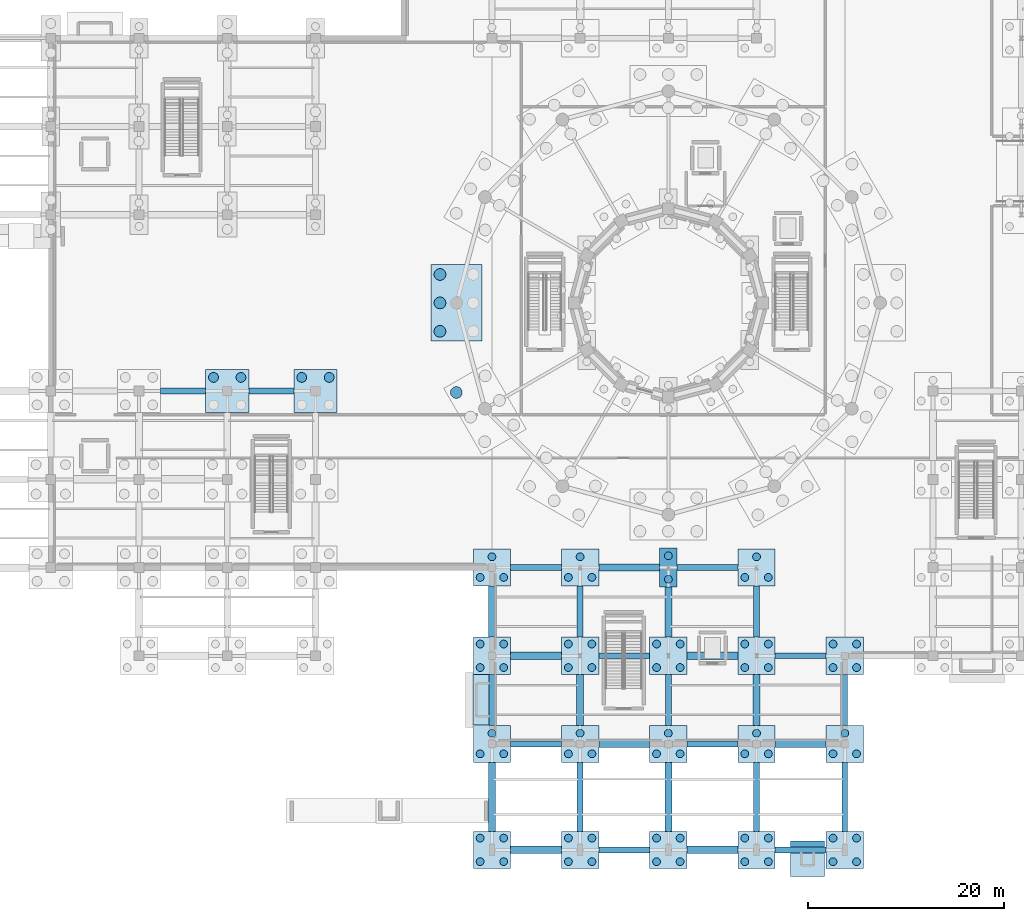
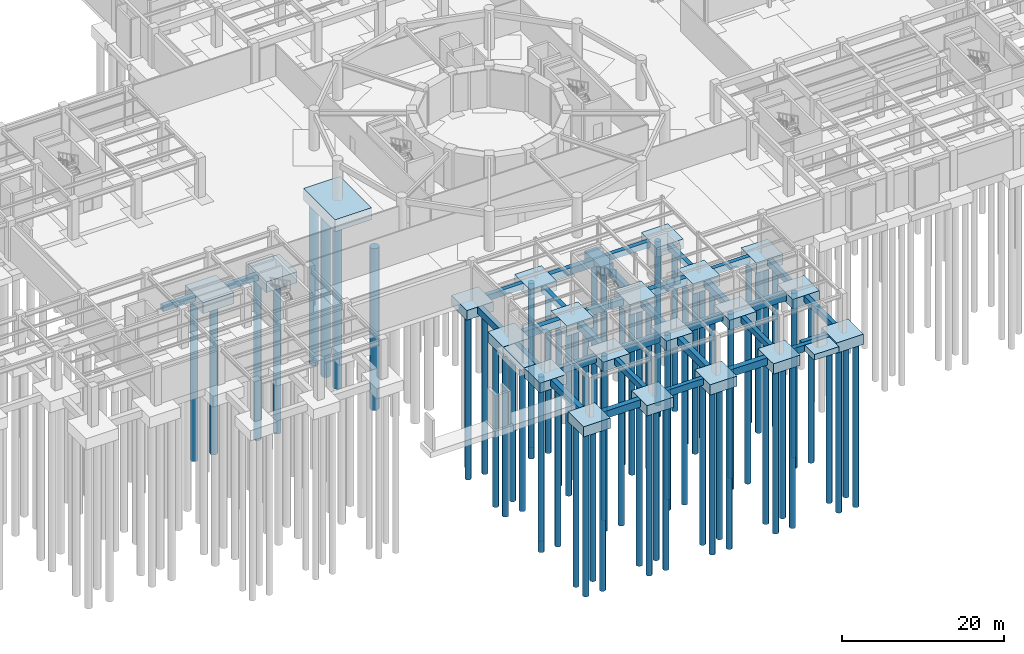
# One storey, part 2 of 36: 74 piles, 56 footings.
"""IFC4 building model written with IfcOpenShell, lengths in metres."""

from ifc_helpers import new_model, si_unit, direction, frame, origin, origin_2d, place, context, subcontext, project, spatial, rectangle, circle, extrude, material, material_profile, profile_set, type_object, element, save


model = new_model("IFC4")

# Units and contexts
model_context = context("Model", 3, precision=1e-05, world=origin(), true_north=direction((0.0, 1.0)))
body_context = subcontext(model_context, "Body", "Model", "MODEL_VIEW")
ifc_project = project(units=[si_unit("LENGTHUNIT", "METRE"), si_unit("AREAUNIT", "SQUARE_METRE"), si_unit("VOLUMEUNIT", "CUBIC_METRE"), si_unit("PLANEANGLEUNIT", "RADIAN"), si_unit("MASSUNIT", "GRAM", prefix="KILO")], contexts=[model_context])

# Site, building, storey
site_placement = place(None, origin())
site = spatial("IfcSite", under=ifc_project, at=site_placement, CompositionType="ELEMENT")
building_placement = place(site_placement, origin())
building = spatial("IfcBuilding", under=site, at=building_placement, Name="Haizhuo Lancet Aquarium", CompositionType="ELEMENT")
storey_placement = place(building_placement, frame((0.0, 0.0, -6.0)))
storey = spatial("IfcBuildingStorey", under=building, at=storey_placement, Name="B1", CompositionType="ELEMENT", Elevation=-6.0)

# Footings
ifc_material = material(Name="Concrete C40/50", Category="concrete")
footing_type_1 = type_object("IfcFootingType", Name="FCAP-PC2A", PredefinedType="PILE_CAP", material=ifc_material)
footing_1_placement = place(storey_placement, frame((0.0, -27.0, -1.39990234375), z_axis=(0.0, 0.0, 1.0), x_axis=(1.0, 0.0, 0.0)))
element("IfcFooting", 1, at=footing_1_placement, inside=storey, type_object=footing_type_1, Name="Pile cap PC-01 77", PredefinedType="PILE_CAP", context=body_context, shape_type="SweptSolid", body=[
    extrude(rectangle(XDim=1.800048828125, YDim=4.0, at=origin_2d()), origin(), (0.0, 0.0, 1.0), 1.39990234375),
])
footing_type_2 = type_object("IfcFootingType", Name="FCAP-PC3A", PredefinedType="PILE_CAP", material=ifc_material)
for number, where, z_axis, x_axis, name in (
    (2, (-18.0, -45.0, -1.4501953125), (0.0, 0.0, 1.0), (1.0, 0.0, 0.0), "Pile cap PC-03 67"),
    (3, (-18.0, -27.0, -1.4501953125), (0.0, 0.0, 1.0), (1.0, 0.0, 0.0), "Pile cap PC-03 69"),
    (4, (-9.0, -45.0, -1.4501953125), (0.0, 0.0, 1.0), (1.0, 0.0, 0.0), "Pile cap PC-03 71"),
    (5, (-9.0, -27.0, -1.4501953125), (0.0, 0.0, 1.0), (1.0, 0.0, 0.0), "Pile cap PC-03 73"),
    (6, (0.0, -45.0, -1.4501953125), (0.0, 0.0, 1.0), (1.0, 0.0, 0.0), "Pile cap PC-03 75"),
    (7, (9.0, -45.0, -1.4501953125), (0.0, 0.0, 1.0), (1.0, 0.0, 0.0), "Pile cap PC-03 79"),
    (8, (9.0, -27.0, -1.4501953125), (0.0, 0.0, 1.0), (1.0, 0.0, 0.0), "Pile cap PC-03 81"),
    (9, (18.0, -45.0, -1.4501953125), (0.0, 0.0, 1.0), (1.0, 0.0, 0.0), "Pile cap PC-03 83"),
):
    element("IfcFooting", number, at=place(storey_placement, frame(where, z_axis=z_axis, x_axis=x_axis)), inside=storey, type_object=footing_type_2, Name=name, PredefinedType="PILE_CAP", context=body_context, shape_type="SweptSolid", body=[
        extrude(rectangle(XDim=3.800048828125, YDim=3.800048828125, at=origin_2d()), origin(), (0.0, 0.0, 1.0), 1.449951171875),
    ])
footing_type_3 = type_object("IfcFootingType", Name="FCAP-PC4A", PredefinedType="PILE_CAP", material=ifc_material)
for number, where, z_axis, x_axis, name in (
    (10, (-18.0, -55.800048828125, -1.5498046875), (0.0, 0.0, 1.0), (1.0, 0.0, 0.0), "Pile cap PC-04 66"),
    (11, (-18.0, -36.0, -1.5498046875), (0.0, 0.0, 1.0), (1.0, 0.0, 0.0), "Pile cap PC-04 68"),
    (12, (-9.0, -55.800048828125, -1.5498046875), (0.0, 0.0, 1.0), (1.0, 0.0, 0.0), "Pile cap PC-04 70"),
    (13, (-9.0, -36.0, -1.5498046875), (0.0, 0.0, 1.0), (1.0, 0.0, 0.0), "Pile cap PC-04 72"),
    (14, (0.0, -55.800048828125, -1.5498046875), (0.0, 0.0, 1.0), (1.0, 0.0, 0.0), "Pile cap PC-04 74"),
    (15, (0.0, -36.0, -1.5498046875), (0.0, 0.0, 1.0), (1.0, 0.0, 0.0), "Pile cap PC-04 76"),
    (16, (9.0, -55.800048828125, -1.5498046875), (0.0, 0.0, 1.0), (1.0, 0.0, 0.0), "Pile cap PC-04 78"),
    (17, (9.0, -36.0, -1.5498046875), (0.0, 0.0, 1.0), (1.0, 0.0, 0.0), "Pile cap PC-04 80"),
    (18, (18.0, -55.800048828125, -1.5498046875), (0.0, 0.0, 1.0), (1.0, 0.0, 0.0), "Pile cap PC-04 82"),
    (19, (18.0, -36.0, -1.5498046875), (0.0, 0.0, 1.0), (1.0, 0.0, 0.0), "Pile cap PC-04 84"),
):
    element("IfcFooting", number, at=place(storey_placement, frame(where, z_axis=z_axis, x_axis=x_axis)), inside=storey, type_object=footing_type_3, Name=name, PredefinedType="PILE_CAP", context=body_context, shape_type="SweptSolid", body=[
        extrude(rectangle(XDim=3.800048828125, YDim=3.800048828125, at=origin_2d()), origin(), (0.0, 0.0, 1.0), 1.550048828125),
    ])
footing_type_4 = type_object("IfcFootingType", Name="FCAP-PC4B", PredefinedType="PILE_CAP", material=ifc_material)
for number, where, z_axis, x_axis, name in (
    (20, (-45.0, -9.0, -1.64990234375), (0.0, 0.0, 1.0), (1.0, 0.0, 0.0), "Pile cap PC-05 123"),
    (21, (-36.0, -9.0, -1.64990234375), (0.0, 0.0, 1.0), (1.0, 0.0, 0.0), "Pile cap PC-05 127"),
):
    element("IfcFooting", number, at=place(storey_placement, frame(where, z_axis=z_axis, x_axis=x_axis)), inside=storey, type_object=footing_type_4, Name=name, PredefinedType="PILE_CAP", context=body_context, shape_type="SweptSolid", body=[
        extrude(rectangle(XDim=4.39990234375, YDim=4.39990234375, at=origin_2d()), origin(), (0.0, 0.0, 1.0), 1.64990234375),
    ])
footing_type_5 = type_object("IfcFootingType", Name="FCAP-PC6B", PredefinedType="PILE_CAP", material=ifc_material)
footing_2_placement = place(storey_placement, frame((-21.60009765625, 0.0, -1.7998046875), z_axis=(0.0, 0.0, 1.0), x_axis=(-1.0, 0.0, 0.0)))
element("IfcFooting", 22, at=footing_2_placement, inside=storey, type_object=footing_type_5, Name="Pile cap PC-08 7", PredefinedType="PILE_CAP", context=body_context, shape_type="SweptSolid", body=[
    extrude(rectangle(XDim=5.199951171875, YDim=7.800048828125, at=origin_2d()), origin(), (0.0, 0.0, 1.0), 1.800048828125),
])
footing_type_6 = type_object("IfcFootingType", Name="FPAD-2200", PredefinedType="PAD_FOOTING", material=ifc_material)
footing_3_placement = place(storey_placement, frame((-19.1201171875, -40.5, -0.85009765625), z_axis=(0.0, 0.0, 1.0), x_axis=(1.0, 0.0, 0.0)))
element("IfcFooting", 23, at=footing_3_placement, inside=storey, type_object=footing_type_6, material=ifc_material, Name="Entrance apron footing 3.2", PredefinedType="PAD_FOOTING", context=body_context, shape_type="SweptSolid", body=[
    extrude(rectangle(XDim=1.60009765625, YDim=5.159912109375, at=origin_2d()), origin(), (0.0, 0.0, 1.0), 0.85009765625),
])
footing_4_placement = place(storey_placement, frame((14.199951171875, -57.31005859375, -0.85009765625), z_axis=(0.0, 0.0, 1.0), x_axis=(1.0, 0.0, 0.0)))
element("IfcFooting", 24, at=footing_4_placement, inside=storey, type_object=footing_type_6, material=ifc_material, Name="Entrance apron footing 4.1", PredefinedType="PAD_FOOTING", context=body_context, shape_type="SweptSolid", body=[
    extrude(rectangle(XDim=3.5, YDim=2.3798828125, at=origin_2d()), origin(), (0.0, 0.0, 1.0), 0.85009765625),
])
footing_5_placement = place(storey_placement, frame((14.199951171875, -55.19189453125, -0.85009765625), z_axis=(0.0, 0.0, 1.0), x_axis=(1.0, 0.0, 0.0)))
element("IfcFooting", 25, at=footing_5_placement, inside=storey, type_object=footing_type_6, material=ifc_material, Name="Entrance apron footing 4.2", PredefinedType="PAD_FOOTING", context=body_context, shape_type="SweptSolid", body=[
    extrude(rectangle(XDim=3.5, YDim=0.574951171875, at=origin_2d()), origin(), (0.0, 0.0, 1.0), 0.85009765625),
])
footing_type_7 = type_object("IfcFootingType", Name="FTB-600x1000", PredefinedType="FOOTING_BEAM", material=ifc_material)
for number, where, z_axis, x_axis, name in (
    (26, (-13.5, -45.0, -1.0), (0.0, 0.0, 1.0), (1.0, 0.0, 0.0), "Foundation tie beam 62"),
    (27, (-4.5, -55.800048828125, -1.0), (0.0, 0.0, 1.0), (1.0, 0.0, 0.0), "Foundation tie beam 74"),
    (28, (-4.5, -36.0, -1.0), (0.0, 0.0, 1.0), (1.0, 0.0, 0.0), "Foundation tie beam 78"),
    (29, (4.5, -45.0, -1.0), (0.0, 0.0, 1.0), (1.0, 0.0, 0.0), "Foundation tie beam 90"),
    (30, (13.5, -55.800048828125, -1.0), (0.0, 0.0, 1.0), (1.0, 0.0, 0.0), "Foundation tie beam 102"),
    (31, (13.5, -36.0, -1.0), (0.0, 0.0, 1.0), (1.0, 0.0, 0.0), "Foundation tie beam 106"),
    (32, (18.0, -40.5, -1.0), (0.0, 0.0, 1.0), (0.0, 1.0, 0.0), "Foundation tie beam 114"),
):
    element("IfcFooting", number, at=place(storey_placement, frame(where, z_axis=z_axis, x_axis=x_axis)), inside=storey, type_object=footing_type_7, Name=name, PredefinedType="FOOTING_BEAM", context=body_context, shape_type="SweptSolid", body=[
        extrude(rectangle(XDim=5.199951171875, YDim=0.60009765625, at=origin_2d()), origin(), (0.0, 0.0, 1.0), 1.0),
    ])
footing_type_8 = type_object("IfcFootingType", Name="FTB-600x900", PredefinedType="FOOTING_BEAM", material=ifc_material)
for number, where, z_axis, x_axis, name in (
    (33, (-49.5, -9.0, -0.89990234375), (0.0, 0.0, 1.0), (1.0, 0.0, 0.0), "Foundation tie beam 33"),
    (34, (-40.5, -9.0, -0.89990234375), (0.0, 0.0, 1.0), (1.0, 0.0, 0.0), "Foundation tie beam 45"),
):
    element("IfcFooting", number, at=place(storey_placement, frame(where, z_axis=z_axis, x_axis=x_axis)), inside=storey, type_object=footing_type_8, Name=name, PredefinedType="FOOTING_BEAM", context=body_context, shape_type="SweptSolid", body=[
        extrude(rectangle(XDim=4.60009765625, YDim=0.60009765625, at=origin_2d()), origin(), (0.0, 0.0, 1.0), 0.89990234375),
    ])
for number, where, z_axis, x_axis, name in (
    (35, (-18.0, -40.5, -0.89990234375), (0.0, 0.0, 1.0), (0.0, 1.0, 0.0), "Foundation tie beam 61"),
    (36, (-13.5, -27.0, -0.89990234375), (0.0, 0.0, 1.0), (1.0, 0.0, 0.0), "Foundation tie beam 65"),
):
    element("IfcFooting", number, at=place(storey_placement, frame(where, z_axis=z_axis, x_axis=x_axis)), inside=storey, type_object=footing_type_8, Name=name, PredefinedType="FOOTING_BEAM", context=body_context, shape_type="SweptSolid", body=[
        extrude(rectangle(XDim=5.199951171875, YDim=0.60009765625, at=origin_2d()), origin(), (0.0, 0.0, 1.0), 0.89990234375),
    ])
footing_6_placement = place(storey_placement, frame((-9.0, -50.39990234375, -0.89990234375), z_axis=(0.0, 0.0, 1.0), x_axis=(0.0, 1.0, 0.0)))
element("IfcFooting", 37, at=footing_6_placement, inside=storey, type_object=footing_type_8, Name="Foundation tie beam 73", PredefinedType="FOOTING_BEAM", context=body_context, shape_type="SweptSolid", body=[
    extrude(rectangle(XDim=7.0, YDim=0.60009765625, at=origin_2d()), origin(), (0.0, 0.0, 1.0), 0.89990234375),
])
for number, where, z_axis, x_axis, name in (
    (38, (-9.0, -31.5, -0.89990234375), (0.0, 0.0, 1.0), (0.0, 1.0, 0.0), "Foundation tie beam 77"),
    (39, (0.0, -40.5, -0.89990234375), (0.0, 0.0, 1.0), (0.0, 1.0, 0.0), "Foundation tie beam 89"),
):
    element("IfcFooting", number, at=place(storey_placement, frame(where, z_axis=z_axis, x_axis=x_axis)), inside=storey, type_object=footing_type_8, Name=name, PredefinedType="FOOTING_BEAM", context=body_context, shape_type="SweptSolid", body=[
        extrude(rectangle(XDim=5.199951171875, YDim=0.60009765625, at=origin_2d()), origin(), (0.0, 0.0, 1.0), 0.89990234375),
    ])
footing_7_placement = place(storey_placement, frame((4.0, -27.0, -0.89990234375), z_axis=(0.0, 0.0, 1.0), x_axis=(1.0, 0.0, 0.0)))
element("IfcFooting", 40, at=footing_7_placement, inside=storey, type_object=footing_type_8, Name="Foundation tie beam 93", PredefinedType="FOOTING_BEAM", context=body_context, shape_type="SweptSolid", body=[
    extrude(rectangle(XDim=6.199951171875, YDim=0.60009765625, at=origin_2d()), origin(), (0.0, 0.0, 1.0), 0.89990234375),
])
footing_8_placement = place(storey_placement, frame((9.0, -50.39990234375, -0.89990234375), z_axis=(0.0, 0.0, 1.0), x_axis=(0.0, 1.0, 0.0)))
element("IfcFooting", 41, at=footing_8_placement, inside=storey, type_object=footing_type_8, Name="Foundation tie beam 101", PredefinedType="FOOTING_BEAM", context=body_context, shape_type="SweptSolid", body=[
    extrude(rectangle(XDim=7.0, YDim=0.60009765625, at=origin_2d()), origin(), (0.0, 0.0, 1.0), 0.89990234375),
])
footing_9_placement = place(storey_placement, frame((9.0, -31.5, -0.89990234375), z_axis=(0.0, 0.0, 1.0), x_axis=(0.0, 1.0, 0.0)))
element("IfcFooting", 42, at=footing_9_placement, inside=storey, type_object=footing_type_8, Name="Foundation tie beam 105", PredefinedType="FOOTING_BEAM", context=body_context, shape_type="SweptSolid", body=[
    extrude(rectangle(XDim=5.199951171875, YDim=0.60009765625, at=origin_2d()), origin(), (0.0, 0.0, 1.0), 0.89990234375),
])
footing_10_placement = place(storey_placement, frame((18.0, -50.39990234375, -0.89990234375), z_axis=(0.0, 0.0, 1.0), x_axis=(0.0, 1.0, 0.0)))
element("IfcFooting", 43, at=footing_10_placement, inside=storey, type_object=footing_type_8, Name="Foundation tie beam 113", PredefinedType="FOOTING_BEAM", context=body_context, shape_type="SweptSolid", body=[
    extrude(rectangle(XDim=7.0, YDim=0.60009765625, at=origin_2d()), origin(), (0.0, 0.0, 1.0), 0.89990234375),
])
footing_type_9 = type_object("IfcFootingType", Name="FTB-700x1050", PredefinedType="FOOTING_BEAM", material=ifc_material)
footing_11_placement = place(storey_placement, frame((-18.0, -50.39990234375, -1.0498046875), z_axis=(0.0, 0.0, 1.0), x_axis=(0.0, 1.0, 0.0)))
element("IfcFooting", 44, at=footing_11_placement, inside=storey, type_object=footing_type_9, Name="Foundation tie beam 59", PredefinedType="FOOTING_BEAM", context=body_context, shape_type="SweptSolid", body=[
    extrude(rectangle(XDim=7.0, YDim=0.699951171875, at=origin_2d()), origin(), (0.0, 0.0, 1.0), 1.050048828125),
])
for number, where, z_axis, x_axis, name in (
    (45, (-18.0, -31.5, -1.0498046875), (0.0, 0.0, 1.0), (0.0, 1.0, 0.0), "Foundation tie beam 63"),
    (46, (-9.0, -40.5, -1.0498046875), (0.0, 0.0, 1.0), (0.0, 1.0, 0.0), "Foundation tie beam 75"),
):
    element("IfcFooting", number, at=place(storey_placement, frame(where, z_axis=z_axis, x_axis=x_axis)), inside=storey, type_object=footing_type_9, Name=name, PredefinedType="FOOTING_BEAM", context=body_context, shape_type="SweptSolid", body=[
        extrude(rectangle(XDim=5.199951171875, YDim=0.699951171875, at=origin_2d()), origin(), (0.0, 0.0, 1.0), 1.050048828125),
    ])
footing_12_placement = place(storey_placement, frame((-4.0, -27.0, -1.0498046875), z_axis=(0.0, 0.0, 1.0), x_axis=(1.0, 0.0, 0.0)))
element("IfcFooting", 47, at=footing_12_placement, inside=storey, type_object=footing_type_9, Name="Foundation tie beam 79", PredefinedType="FOOTING_BEAM", context=body_context, shape_type="SweptSolid", body=[
    extrude(rectangle(XDim=6.199951171875, YDim=0.699951171875, at=origin_2d()), origin(), (0.0, 0.0, 1.0), 1.050048828125),
])
footing_13_placement = place(storey_placement, frame((0.0, -50.39990234375, -1.0498046875), z_axis=(0.0, 0.0, 1.0), x_axis=(0.0, 1.0, 0.0)))
element("IfcFooting", 48, at=footing_13_placement, inside=storey, type_object=footing_type_9, Name="Foundation tie beam 87", PredefinedType="FOOTING_BEAM", context=body_context, shape_type="SweptSolid", body=[
    extrude(rectangle(XDim=7.0, YDim=0.699951171875, at=origin_2d()), origin(), (0.0, 0.0, 1.0), 1.050048828125),
])
footing_14_placement = place(storey_placement, frame((0.0, -31.550048828125, -1.0498046875), z_axis=(0.0, 0.0, 1.0), x_axis=(0.0, 1.0, 0.0)))
element("IfcFooting", 49, at=footing_14_placement, inside=storey, type_object=footing_type_9, Name="Foundation tie beam 91", PredefinedType="FOOTING_BEAM", context=body_context, shape_type="SweptSolid", body=[
    extrude(rectangle(XDim=5.10009765625, YDim=0.699951171875, at=origin_2d()), origin(), (0.0, 0.0, 1.0), 1.050048828125),
])
footing_15_placement = place(storey_placement, frame((9.0, -40.5, -1.0498046875), z_axis=(0.0, 0.0, 1.0), x_axis=(0.0, 1.0, 0.0)))
element("IfcFooting", 50, at=footing_15_placement, inside=storey, type_object=footing_type_9, Name="Foundation tie beam 103", PredefinedType="FOOTING_BEAM", context=body_context, shape_type="SweptSolid", body=[
    extrude(rectangle(XDim=5.199951171875, YDim=0.699951171875, at=origin_2d()), origin(), (0.0, 0.0, 1.0), 1.050048828125),
])
footing_type_10 = type_object("IfcFootingType", Name="FTB-750x1100", PredefinedType="FOOTING_BEAM", material=ifc_material)
for number, where, z_axis, x_axis, name in (
    (51, (-13.5, -55.800048828125, -1.10009765625), (0.0, 0.0, 1.0), (1.0, 0.0, 0.0), "Foundation tie beam 60"),
    (52, (-13.5, -36.0, -1.10009765625), (0.0, 0.0, 1.0), (1.0, 0.0, 0.0), "Foundation tie beam 64"),
    (53, (-4.5, -45.0, -1.10009765625), (0.0, 0.0, 1.0), (1.0, 0.0, 0.0), "Foundation tie beam 76"),
    (54, (4.5, -55.800048828125, -1.10009765625), (0.0, 0.0, 1.0), (1.0, 0.0, 0.0), "Foundation tie beam 88"),
    (55, (4.5, -36.0, -1.10009765625), (0.0, 0.0, 1.0), (1.0, 0.0, 0.0), "Foundation tie beam 92"),
    (56, (13.5, -45.0, -1.10009765625), (0.0, 0.0, 1.0), (1.0, 0.0, 0.0), "Foundation tie beam 104"),
):
    element("IfcFooting", number, at=place(storey_placement, frame(where, z_axis=z_axis, x_axis=x_axis)), inside=storey, type_object=footing_type_10, Name=name, PredefinedType="FOOTING_BEAM", context=body_context, shape_type="SweptSolid", body=[
        extrude(rectangle(XDim=5.199951171875, YDim=0.75, at=origin_2d()), origin(), (0.0, 0.0, 1.0), 1.10009765625),
    ])

# Piles
ifc_material_profile_1 = material_profile(ifc_material, circle(Radius=0.5, at=origin_2d()), Name="PILE-1000")
ifc_profile_set_1 = profile_set([ifc_material_profile_1], Name="Concrete C40/50")
pile_type_1 = type_object("IfcPileType", Name="PILE-BORED-1000", PredefinedType="BORED", material=ifc_profile_set_1)
for number, where, z_axis, x_axis, name in (
    (57, (-46.39990234375, -7.60009765625, -1.5), (0.0, 0.0, -1.0), (1.0, 0.0, 0.0), "Bored pile P-02 123.3"),
    (58, (-43.60009765625, -7.60009765625, -1.5), (0.0, 0.0, -1.0), (1.0, 0.0, 0.0), "Bored pile P-02 123.4"),
    (59, (-37.39990234375, -7.60009765625, -1.5), (0.0, 0.0, -1.0), (1.0, 0.0, 0.0), "Bored pile P-02 127.3"),
    (60, (-34.60009765625, -7.60009765625, -1.5), (0.0, 0.0, -1.0), (1.0, 0.0, 0.0), "Bored pile P-02 127.4"),
):
    element("IfcPile", number, at=place(storey_placement, frame(where, z_axis=z_axis, x_axis=x_axis)), inside=storey, type_object=pile_type_1, Name=name, PredefinedType="BORED", context=body_context, shape_type="SweptSolid", body=[
        extrude(circle(Radius=0.5, at=origin_2d()), origin(), (0.0, 0.0, 1.0), 24.5),
    ])
ifc_material_profile_2 = material_profile(ifc_material, circle(Radius=0.60009765625, at=origin_2d()), Name="PILE-1200")
ifc_profile_set_2 = profile_set([ifc_material_profile_2], Name="Concrete C40/50")
pile_type_2 = type_object("IfcPileType", Name="PILE-BORED-1200", PredefinedType="BORED", material=ifc_profile_set_2)
for number, where, z_axis, x_axis, name in (
    (61, (-23.300048828125, 2.89990234375, -1.64990234375), (0.0, 0.0, -1.0), (1.0, 0.0, 0.0), "Bored pile P-03 7.2"),
    (62, (-23.300048828125, 0.0, -1.64990234375), (0.0, 0.0, -1.0), (1.0, 0.0, 0.0), "Bored pile P-03 7.4"),
    (63, (-23.300048828125, -2.89990234375, -1.64990234375), (0.0, 0.0, -1.0), (1.0, 0.0, 0.0), "Bored pile P-03 7.6"),
    (64, (-21.6279296875, -9.138916015625, -1.64990234375), (0.0, 0.0, -1.0), (1.0, 0.0, 0.0), "Bored pile P-03 8.2"),
):
    element("IfcPile", number, at=place(storey_placement, frame(where, z_axis=z_axis, x_axis=x_axis)), inside=storey, type_object=pile_type_2, Name=name, PredefinedType="BORED", context=body_context, shape_type="SweptSolid", body=[
        extrude(circle(Radius=0.60009765625, at=origin_2d()), origin(), (0.0, 0.0, 1.0), 24.35009765625),
    ])
ifc_material_profile_3 = material_profile(ifc_material, circle(Radius=0.39990234375, at=origin_2d()), Name="PILE-800")
ifc_profile_set_3 = profile_set([ifc_material_profile_3], Name="Concrete C40/50")
pile_type_3 = type_object("IfcPileType", Name="PILE-BORED-800", PredefinedType="BORED", material=ifc_profile_set_3)
for number, where, z_axis, x_axis, name in (
    (65, (-19.199951171875, -57.0, -1.39990234375), (0.0, 0.0, -1.0), (1.0, 0.0, 0.0), "Bored pile P-01 66.1"),
    (66, (-16.800048828125, -57.0, -1.39990234375), (0.0, 0.0, -1.0), (1.0, 0.0, 0.0), "Bored pile P-01 66.2"),
    (67, (-19.199951171875, -54.60009765625, -1.39990234375), (0.0, 0.0, -1.0), (1.0, 0.0, 0.0), "Bored pile P-01 66.3"),
    (68, (-16.800048828125, -54.60009765625, -1.39990234375), (0.0, 0.0, -1.0), (1.0, 0.0, 0.0), "Bored pile P-01 66.4"),
):
    element("IfcPile", number, at=place(storey_placement, frame(where, z_axis=z_axis, x_axis=x_axis)), inside=storey, type_object=pile_type_3, Name=name, PredefinedType="BORED", context=body_context, shape_type="SweptSolid", body=[
        extrude(circle(Radius=0.39990234375, at=origin_2d()), origin(), (0.0, 0.0, 1.0), 24.60009765625),
    ])
for number, where, z_axis, x_axis, name in (
    (69, (-19.199951171875, -46.0, -1.300048828125), (0.0, 0.0, -1.0), (1.0, 0.0, 0.0), "Bored pile P-01 67.1"),
    (70, (-16.800048828125, -46.0, -1.300048828125), (0.0, 0.0, -1.0), (1.0, 0.0, 0.0), "Bored pile P-01 67.2"),
    (71, (-18.0, -43.89990234375, -1.300048828125), (0.0, 0.0, -1.0), (1.0, 0.0, 0.0), "Bored pile P-01 67.3"),
):
    element("IfcPile", number, at=place(storey_placement, frame(where, z_axis=z_axis, x_axis=x_axis)), inside=storey, type_object=pile_type_3, Name=name, PredefinedType="BORED", context=body_context, shape_type="SweptSolid", body=[
        extrude(circle(Radius=0.39990234375, at=origin_2d()), origin(), (0.0, 0.0, 1.0), 24.699951171875),
    ])
for number, where, z_axis, x_axis, name in (
    (72, (-19.199951171875, -37.199951171875, -1.39990234375), (0.0, 0.0, -1.0), (1.0, 0.0, 0.0), "Bored pile P-01 68.1"),
    (73, (-16.800048828125, -37.199951171875, -1.39990234375), (0.0, 0.0, -1.0), (1.0, 0.0, 0.0), "Bored pile P-01 68.2"),
    (74, (-19.199951171875, -34.800048828125, -1.39990234375), (0.0, 0.0, -1.0), (1.0, 0.0, 0.0), "Bored pile P-01 68.3"),
    (75, (-16.800048828125, -34.800048828125, -1.39990234375), (0.0, 0.0, -1.0), (1.0, 0.0, 0.0), "Bored pile P-01 68.4"),
):
    element("IfcPile", number, at=place(storey_placement, frame(where, z_axis=z_axis, x_axis=x_axis)), inside=storey, type_object=pile_type_3, Name=name, PredefinedType="BORED", context=body_context, shape_type="SweptSolid", body=[
        extrude(circle(Radius=0.39990234375, at=origin_2d()), origin(), (0.0, 0.0, 1.0), 24.60009765625),
    ])
for number, where, z_axis, x_axis, name in (
    (76, (-19.199951171875, -28.0, -1.300048828125), (0.0, 0.0, -1.0), (1.0, 0.0, 0.0), "Bored pile P-01 69.1"),
    (77, (-16.800048828125, -28.0, -1.300048828125), (0.0, 0.0, -1.0), (1.0, 0.0, 0.0), "Bored pile P-01 69.2"),
    (78, (-18.0, -25.89990234375, -1.300048828125), (0.0, 0.0, -1.0), (1.0, 0.0, 0.0), "Bored pile P-01 69.3"),
):
    element("IfcPile", number, at=place(storey_placement, frame(where, z_axis=z_axis, x_axis=x_axis)), inside=storey, type_object=pile_type_3, Name=name, PredefinedType="BORED", context=body_context, shape_type="SweptSolid", body=[
        extrude(circle(Radius=0.39990234375, at=origin_2d()), origin(), (0.0, 0.0, 1.0), 24.699951171875),
    ])
for number, where, z_axis, x_axis, name in (
    (79, (-10.199951171875, -57.0, -1.39990234375), (0.0, 0.0, -1.0), (1.0, 0.0, 0.0), "Bored pile P-01 70.1"),
    (80, (-7.800048828125, -57.0, -1.39990234375), (0.0, 0.0, -1.0), (1.0, 0.0, 0.0), "Bored pile P-01 70.2"),
    (81, (-10.199951171875, -54.60009765625, -1.39990234375), (0.0, 0.0, -1.0), (1.0, 0.0, 0.0), "Bored pile P-01 70.3"),
    (82, (-7.800048828125, -54.60009765625, -1.39990234375), (0.0, 0.0, -1.0), (1.0, 0.0, 0.0), "Bored pile P-01 70.4"),
):
    element("IfcPile", number, at=place(storey_placement, frame(where, z_axis=z_axis, x_axis=x_axis)), inside=storey, type_object=pile_type_3, Name=name, PredefinedType="BORED", context=body_context, shape_type="SweptSolid", body=[
        extrude(circle(Radius=0.39990234375, at=origin_2d()), origin(), (0.0, 0.0, 1.0), 24.60009765625),
    ])
for number, where, z_axis, x_axis, name in (
    (83, (-10.199951171875, -46.0, -1.300048828125), (0.0, 0.0, -1.0), (1.0, 0.0, 0.0), "Bored pile P-01 71.1"),
    (84, (-7.800048828125, -46.0, -1.300048828125), (0.0, 0.0, -1.0), (1.0, 0.0, 0.0), "Bored pile P-01 71.2"),
    (85, (-9.0, -43.89990234375, -1.300048828125), (0.0, 0.0, -1.0), (1.0, 0.0, 0.0), "Bored pile P-01 71.3"),
):
    element("IfcPile", number, at=place(storey_placement, frame(where, z_axis=z_axis, x_axis=x_axis)), inside=storey, type_object=pile_type_3, Name=name, PredefinedType="BORED", context=body_context, shape_type="SweptSolid", body=[
        extrude(circle(Radius=0.39990234375, at=origin_2d()), origin(), (0.0, 0.0, 1.0), 24.699951171875),
    ])
for number, where, z_axis, x_axis, name in (
    (86, (-10.199951171875, -37.199951171875, -1.39990234375), (0.0, 0.0, -1.0), (1.0, 0.0, 0.0), "Bored pile P-01 72.1"),
    (87, (-7.800048828125, -37.199951171875, -1.39990234375), (0.0, 0.0, -1.0), (1.0, 0.0, 0.0), "Bored pile P-01 72.2"),
    (88, (-10.199951171875, -34.800048828125, -1.39990234375), (0.0, 0.0, -1.0), (1.0, 0.0, 0.0), "Bored pile P-01 72.3"),
    (89, (-7.800048828125, -34.800048828125, -1.39990234375), (0.0, 0.0, -1.0), (1.0, 0.0, 0.0), "Bored pile P-01 72.4"),
):
    element("IfcPile", number, at=place(storey_placement, frame(where, z_axis=z_axis, x_axis=x_axis)), inside=storey, type_object=pile_type_3, Name=name, PredefinedType="BORED", context=body_context, shape_type="SweptSolid", body=[
        extrude(circle(Radius=0.39990234375, at=origin_2d()), origin(), (0.0, 0.0, 1.0), 24.60009765625),
    ])
for number, where, z_axis, x_axis, name in (
    (90, (-10.199951171875, -28.0, -1.300048828125), (0.0, 0.0, -1.0), (1.0, 0.0, 0.0), "Bored pile P-01 73.1"),
    (91, (-7.800048828125, -28.0, -1.300048828125), (0.0, 0.0, -1.0), (1.0, 0.0, 0.0), "Bored pile P-01 73.2"),
    (92, (-9.0, -25.89990234375, -1.300048828125), (0.0, 0.0, -1.0), (1.0, 0.0, 0.0), "Bored pile P-01 73.3"),
):
    element("IfcPile", number, at=place(storey_placement, frame(where, z_axis=z_axis, x_axis=x_axis)), inside=storey, type_object=pile_type_3, Name=name, PredefinedType="BORED", context=body_context, shape_type="SweptSolid", body=[
        extrude(circle(Radius=0.39990234375, at=origin_2d()), origin(), (0.0, 0.0, 1.0), 24.699951171875),
    ])
for number, where, z_axis, x_axis, name in (
    (93, (-1.199951171875, -57.0, -1.39990234375), (0.0, 0.0, -1.0), (1.0, 0.0, 0.0), "Bored pile P-01 74.1"),
    (94, (1.199951171875, -57.0, -1.39990234375), (0.0, 0.0, -1.0), (1.0, 0.0, 0.0), "Bored pile P-01 74.2"),
    (95, (-1.199951171875, -54.60009765625, -1.39990234375), (0.0, 0.0, -1.0), (1.0, 0.0, 0.0), "Bored pile P-01 74.3"),
    (96, (1.199951171875, -54.60009765625, -1.39990234375), (0.0, 0.0, -1.0), (1.0, 0.0, 0.0), "Bored pile P-01 74.4"),
):
    element("IfcPile", number, at=place(storey_placement, frame(where, z_axis=z_axis, x_axis=x_axis)), inside=storey, type_object=pile_type_3, Name=name, PredefinedType="BORED", context=body_context, shape_type="SweptSolid", body=[
        extrude(circle(Radius=0.39990234375, at=origin_2d()), origin(), (0.0, 0.0, 1.0), 24.60009765625),
    ])
for number, where, z_axis, x_axis, name in (
    (97, (-1.199951171875, -46.0, -1.300048828125), (0.0, 0.0, -1.0), (1.0, 0.0, 0.0), "Bored pile P-01 75.1"),
    (98, (1.199951171875, -46.0, -1.300048828125), (0.0, 0.0, -1.0), (1.0, 0.0, 0.0), "Bored pile P-01 75.2"),
    (99, (0.0, -43.89990234375, -1.300048828125), (0.0, 0.0, -1.0), (1.0, 0.0, 0.0), "Bored pile P-01 75.3"),
):
    element("IfcPile", number, at=place(storey_placement, frame(where, z_axis=z_axis, x_axis=x_axis)), inside=storey, type_object=pile_type_3, Name=name, PredefinedType="BORED", context=body_context, shape_type="SweptSolid", body=[
        extrude(circle(Radius=0.39990234375, at=origin_2d()), origin(), (0.0, 0.0, 1.0), 24.699951171875),
    ])
for number, where, z_axis, x_axis, name in (
    (100, (-1.199951171875, -37.199951171875, -1.39990234375), (0.0, 0.0, -1.0), (1.0, 0.0, 0.0), "Bored pile P-01 76.1"),
    (101, (1.199951171875, -37.199951171875, -1.39990234375), (0.0, 0.0, -1.0), (1.0, 0.0, 0.0), "Bored pile P-01 76.2"),
    (102, (-1.199951171875, -34.800048828125, -1.39990234375), (0.0, 0.0, -1.0), (1.0, 0.0, 0.0), "Bored pile P-01 76.3"),
    (103, (1.199951171875, -34.800048828125, -1.39990234375), (0.0, 0.0, -1.0), (1.0, 0.0, 0.0), "Bored pile P-01 76.4"),
):
    element("IfcPile", number, at=place(storey_placement, frame(where, z_axis=z_axis, x_axis=x_axis)), inside=storey, type_object=pile_type_3, Name=name, PredefinedType="BORED", context=body_context, shape_type="SweptSolid", body=[
        extrude(circle(Radius=0.39990234375, at=origin_2d()), origin(), (0.0, 0.0, 1.0), 24.60009765625),
    ])
for number, where, z_axis, x_axis, name in (
    (104, (0.0, -28.199951171875, -1.25), (0.0, 0.0, -1.0), (1.0, 0.0, 0.0), "Bored pile P-01 77.1"),
    (105, (0.0, -25.800048828125, -1.25), (0.0, 0.0, -1.0), (1.0, 0.0, 0.0), "Bored pile P-01 77.2"),
):
    element("IfcPile", number, at=place(storey_placement, frame(where, z_axis=z_axis, x_axis=x_axis)), inside=storey, type_object=pile_type_3, Name=name, PredefinedType="BORED", context=body_context, shape_type="SweptSolid", body=[
        extrude(circle(Radius=0.39990234375, at=origin_2d()), origin(), (0.0, 0.0, 1.0), 24.75),
    ])
for number, where, z_axis, x_axis, name in (
    (106, (7.800048828125, -57.0, -1.39990234375), (0.0, 0.0, -1.0), (1.0, 0.0, 0.0), "Bored pile P-01 78.1"),
    (107, (10.199951171875, -57.0, -1.39990234375), (0.0, 0.0, -1.0), (1.0, 0.0, 0.0), "Bored pile P-01 78.2"),
    (108, (7.800048828125, -54.60009765625, -1.39990234375), (0.0, 0.0, -1.0), (1.0, 0.0, 0.0), "Bored pile P-01 78.3"),
    (109, (10.199951171875, -54.60009765625, -1.39990234375), (0.0, 0.0, -1.0), (1.0, 0.0, 0.0), "Bored pile P-01 78.4"),
):
    element("IfcPile", number, at=place(storey_placement, frame(where, z_axis=z_axis, x_axis=x_axis)), inside=storey, type_object=pile_type_3, Name=name, PredefinedType="BORED", context=body_context, shape_type="SweptSolid", body=[
        extrude(circle(Radius=0.39990234375, at=origin_2d()), origin(), (0.0, 0.0, 1.0), 24.60009765625),
    ])
for number, where, z_axis, x_axis, name in (
    (110, (7.800048828125, -46.0, -1.300048828125), (0.0, 0.0, -1.0), (1.0, 0.0, 0.0), "Bored pile P-01 79.1"),
    (111, (10.199951171875, -46.0, -1.300048828125), (0.0, 0.0, -1.0), (1.0, 0.0, 0.0), "Bored pile P-01 79.2"),
    (112, (9.0, -43.89990234375, -1.300048828125), (0.0, 0.0, -1.0), (1.0, 0.0, 0.0), "Bored pile P-01 79.3"),
):
    element("IfcPile", number, at=place(storey_placement, frame(where, z_axis=z_axis, x_axis=x_axis)), inside=storey, type_object=pile_type_3, Name=name, PredefinedType="BORED", context=body_context, shape_type="SweptSolid", body=[
        extrude(circle(Radius=0.39990234375, at=origin_2d()), origin(), (0.0, 0.0, 1.0), 24.699951171875),
    ])
for number, where, z_axis, x_axis, name in (
    (113, (7.800048828125, -37.199951171875, -1.39990234375), (0.0, 0.0, -1.0), (1.0, 0.0, 0.0), "Bored pile P-01 80.1"),
    (114, (10.199951171875, -37.199951171875, -1.39990234375), (0.0, 0.0, -1.0), (1.0, 0.0, 0.0), "Bored pile P-01 80.2"),
    (115, (7.800048828125, -34.800048828125, -1.39990234375), (0.0, 0.0, -1.0), (1.0, 0.0, 0.0), "Bored pile P-01 80.3"),
    (116, (10.199951171875, -34.800048828125, -1.39990234375), (0.0, 0.0, -1.0), (1.0, 0.0, 0.0), "Bored pile P-01 80.4"),
):
    element("IfcPile", number, at=place(storey_placement, frame(where, z_axis=z_axis, x_axis=x_axis)), inside=storey, type_object=pile_type_3, Name=name, PredefinedType="BORED", context=body_context, shape_type="SweptSolid", body=[
        extrude(circle(Radius=0.39990234375, at=origin_2d()), origin(), (0.0, 0.0, 1.0), 24.60009765625),
    ])
for number, where, z_axis, x_axis, name in (
    (117, (7.800048828125, -28.0, -1.300048828125), (0.0, 0.0, -1.0), (1.0, 0.0, 0.0), "Bored pile P-01 81.1"),
    (118, (10.199951171875, -28.0, -1.300048828125), (0.0, 0.0, -1.0), (1.0, 0.0, 0.0), "Bored pile P-01 81.2"),
    (119, (9.0, -25.89990234375, -1.300048828125), (0.0, 0.0, -1.0), (1.0, 0.0, 0.0), "Bored pile P-01 81.3"),
):
    element("IfcPile", number, at=place(storey_placement, frame(where, z_axis=z_axis, x_axis=x_axis)), inside=storey, type_object=pile_type_3, Name=name, PredefinedType="BORED", context=body_context, shape_type="SweptSolid", body=[
        extrude(circle(Radius=0.39990234375, at=origin_2d()), origin(), (0.0, 0.0, 1.0), 24.699951171875),
    ])
for number, where, z_axis, x_axis, name in (
    (120, (16.800048828125, -57.0, -1.39990234375), (0.0, 0.0, -1.0), (1.0, 0.0, 0.0), "Bored pile P-01 82.1"),
    (121, (19.199951171875, -57.0, -1.39990234375), (0.0, 0.0, -1.0), (1.0, 0.0, 0.0), "Bored pile P-01 82.2"),
    (122, (16.800048828125, -54.60009765625, -1.39990234375), (0.0, 0.0, -1.0), (1.0, 0.0, 0.0), "Bored pile P-01 82.3"),
    (123, (19.199951171875, -54.60009765625, -1.39990234375), (0.0, 0.0, -1.0), (1.0, 0.0, 0.0), "Bored pile P-01 82.4"),
):
    element("IfcPile", number, at=place(storey_placement, frame(where, z_axis=z_axis, x_axis=x_axis)), inside=storey, type_object=pile_type_3, Name=name, PredefinedType="BORED", context=body_context, shape_type="SweptSolid", body=[
        extrude(circle(Radius=0.39990234375, at=origin_2d()), origin(), (0.0, 0.0, 1.0), 24.60009765625),
    ])
for number, where, z_axis, x_axis, name in (
    (124, (16.800048828125, -46.0, -1.300048828125), (0.0, 0.0, -1.0), (1.0, 0.0, 0.0), "Bored pile P-01 83.1"),
    (125, (19.199951171875, -46.0, -1.300048828125), (0.0, 0.0, -1.0), (1.0, 0.0, 0.0), "Bored pile P-01 83.2"),
    (126, (18.0, -43.89990234375, -1.300048828125), (0.0, 0.0, -1.0), (1.0, 0.0, 0.0), "Bored pile P-01 83.3"),
):
    element("IfcPile", number, at=place(storey_placement, frame(where, z_axis=z_axis, x_axis=x_axis)), inside=storey, type_object=pile_type_3, Name=name, PredefinedType="BORED", context=body_context, shape_type="SweptSolid", body=[
        extrude(circle(Radius=0.39990234375, at=origin_2d()), origin(), (0.0, 0.0, 1.0), 24.699951171875),
    ])
for number, where, z_axis, x_axis, name in (
    (127, (16.800048828125, -37.199951171875, -1.39990234375), (0.0, 0.0, -1.0), (1.0, 0.0, 0.0), "Bored pile P-01 84.1"),
    (128, (19.199951171875, -37.199951171875, -1.39990234375), (0.0, 0.0, -1.0), (1.0, 0.0, 0.0), "Bored pile P-01 84.2"),
    (129, (16.800048828125, -34.800048828125, -1.39990234375), (0.0, 0.0, -1.0), (1.0, 0.0, 0.0), "Bored pile P-01 84.3"),
    (130, (19.199951171875, -34.800048828125, -1.39990234375), (0.0, 0.0, -1.0), (1.0, 0.0, 0.0), "Bored pile P-01 84.4"),
):
    element("IfcPile", number, at=place(storey_placement, frame(where, z_axis=z_axis, x_axis=x_axis)), inside=storey, type_object=pile_type_3, Name=name, PredefinedType="BORED", context=body_context, shape_type="SweptSolid", body=[
        extrude(circle(Radius=0.39990234375, at=origin_2d()), origin(), (0.0, 0.0, 1.0), 24.60009765625),
    ])

save(model, "model.ifc")
